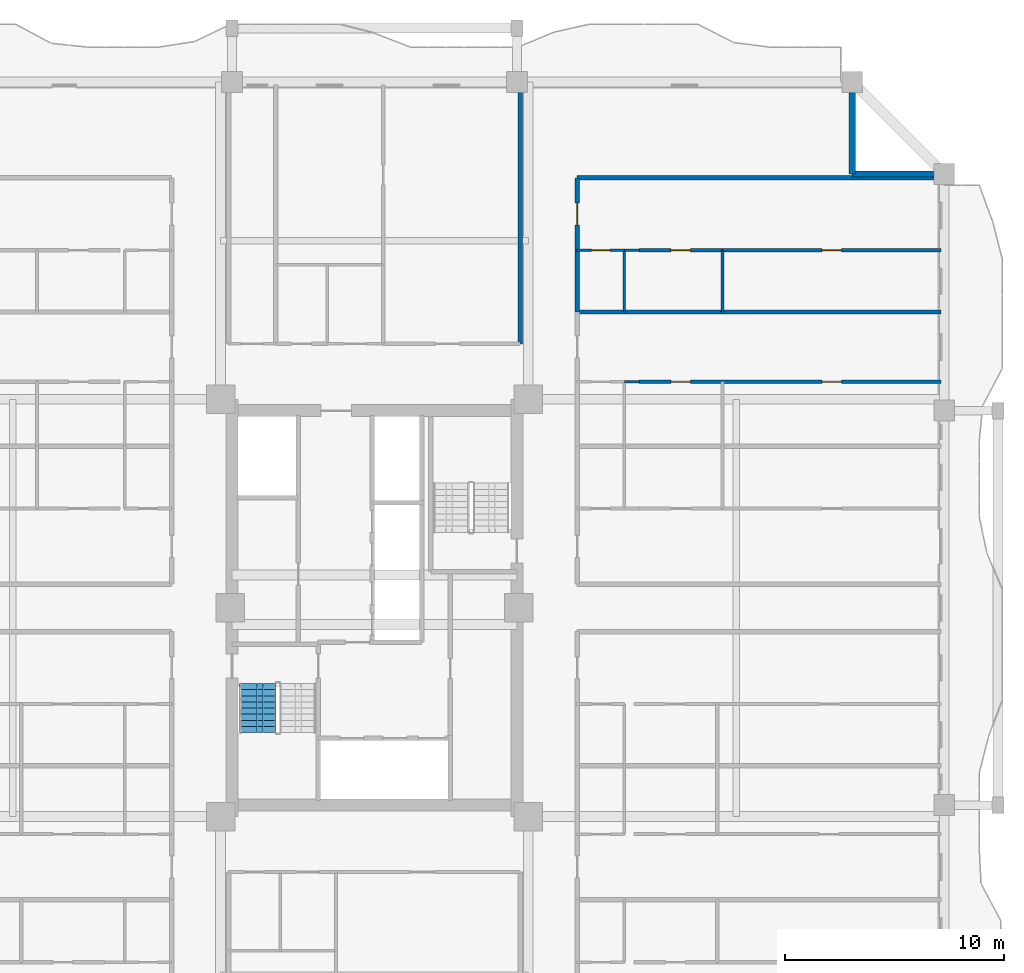
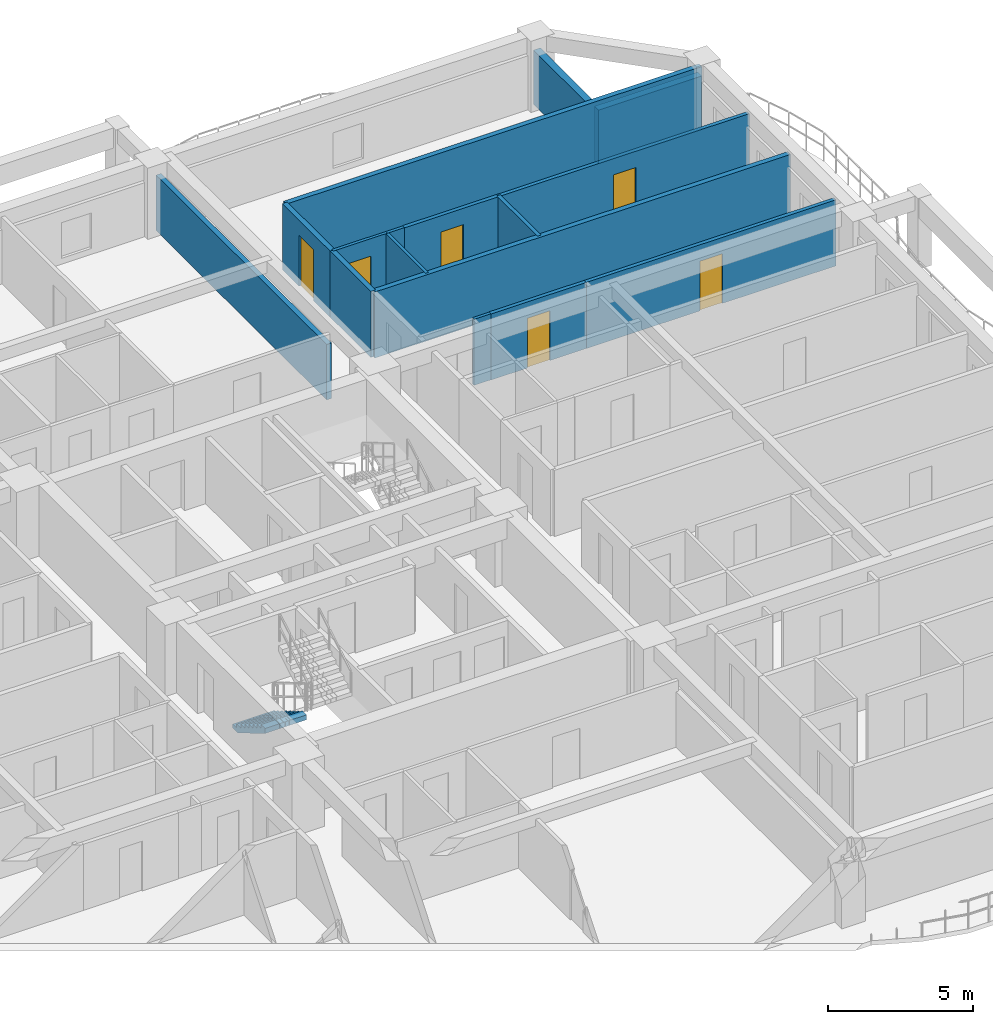
# One storey, part 8 of 13: 16 walls, 6 doors, 1 stair flight, 6 openings, 1 element without a shape of its own.
"""IFC4 building model written with IfcOpenShell, lengths in metres."""

from ifc_helpers import new_model, si_unit, direction, frame, frame_2d, origin, place, context, subcontext, project, spatial, polyline, rectangle, outline, extrude, source, transform, mapped, material, layer, layer_set, type_object, element, fill, aggregate, save


model = new_model("IFC4")

# Units and contexts
model_context = context("Model", 3, precision=1e-05, world=origin(), true_north=direction((0.0, 1.0)))
body_context = subcontext(model_context, "Body", "Model", "MODEL_VIEW")
ifc_project = project(units=[si_unit("LENGTHUNIT", "METRE"), si_unit("AREAUNIT", "SQUARE_METRE"), si_unit("VOLUMEUNIT", "CUBIC_METRE"), si_unit("PLANEANGLEUNIT", "RADIAN"), si_unit("MASSUNIT", "GRAM", prefix="KILO")], contexts=[model_context])

# Site, building, storey
site_placement = place(None, origin())
site = spatial("IfcSite", under=ifc_project, at=site_placement, CompositionType="ELEMENT")
building_placement = place(site_placement, origin())
building = spatial("IfcBuilding", under=site, at=building_placement, Name="Saelheon Loggia Tower", CompositionType="ELEMENT")
storey_placement = place(building_placement, frame((0.0, 0.0, 92.85009765625)))
storey = spatial("IfcBuildingStorey", under=building, at=storey_placement, Name="L29", CompositionType="ELEMENT", Elevation=92.85009765625)

# Walls
ifc_material_1 = material(Name="Architectural Precast Concrete C40/50", Category="concrete")
ifc_layer_1 = layer(ifc_material_1, 0.280029296875)
ifc_layer_set_1 = layer_set([ifc_layer_1], Name="Architectural Precast Concrete C40/50")
wall_type_1 = type_object("IfcWallType", Name="Wall_Ext_Loggia_280", PredefinedType="SOLIDWALL", material=ifc_layer_set_1)
for number, where, z_axis, x_axis, name in (
    (1, (59.800048828125, 46.800048828125, 0.0), (0.0, 0.0, 1.0), (0.0, 1.0, 0.0), "L29 Corner Notch Precast Wall NE1"),
    (2, (59.800048828125, 46.800048828125, 0.0), (0.0, 0.0, 1.0), (1.0, 0.0, 0.0), "L29 Corner Notch Precast Wall NE2"),
):
    element("IfcWall", number, at=place(storey_placement, frame(where, z_axis=z_axis, x_axis=x_axis)), inside=storey, type_object=wall_type_1, Name=name, PredefinedType="SOLIDWALL", context=body_context, shape_type="SweptSolid", body=[
        extrude(rectangle(XDim=4.119873046875, YDim=0.280029296875, at=frame_2d((2.06005859375, 0.0))), origin(), (0.0, 0.0, 1.0), 2.27978515625),
    ])

# Wall, opening, door
ifc_material_2 = material(Name="Lightweight Autoclaved Aerated Concrete Block and Acoustic Gypsum", Category="concrete")
ifc_layer_2 = layer(ifc_material_2, 0.14990234375)
ifc_layer_set_2 = layer_set([ifc_layer_2], Name="Lightweight Autoclaved Aerated Concrete Block and Acoustic Gypsum")
wall_type_2 = type_object("IfcWallType", Name="Wall_Part_150", PredefinedType="PARTITIONING", material=ifc_layer_set_2)
wall_1_placement = place(storey_placement, frame((50.080078125, 37.320068359375, 0.0), z_axis=(0.0, 0.0, 1.0), x_axis=(1.0, 0.0, 0.0)))
wall_1 = element("IfcWall", 3, at=wall_1_placement, inside=storey, type_object=wall_type_2, Name="L29 EN Partition U18", PredefinedType="PARTITIONING", context=body_context, shape_type="SweptSolid", body=[
    extrude(rectangle(XDim=3.7998046875, YDim=0.14990234375, at=frame_2d((1.89990234375, 0.0))), origin(), (0.0, 0.0, 1.0), 2.789794921875),
])
opening_1_placement = place(wall_1_placement, frame((1.449951171875, 0.0, 0.0)))
opening_1 = element("IfcOpeningElement", 4, at=opening_1_placement, cuts=wall_1, Name="Opening D-IN2", PredefinedType="OPENING", context=body_context, shape_type="SweptSolid", body=[
    extrude(rectangle(XDim=0.89990234375, YDim=2.10009765625, at=frame_2d((0.449951171875, 1.050048828125))), frame((0.0, 0.0869140625, 0.0), z_axis=(0.0, -1.0, 0.0), x_axis=(1.0, 0.0, 0.0)), (0.0, 0.0, 1.0), 0.173828125),
])
ifc_material_3 = material(Name="Engineered Oak Flush Door", Category="timber")
door_type_1 = type_object("IfcDoorType", Name="Door_Int_900", OperationType="NOTDEFINED", PredefinedType="DOOR", material=ifc_material_3)
shared_shape_1 = source(origin(), body_context, "Body", "SweptSolid", [
    extrude(rectangle(XDim=0.89990234375, YDim=2.10009765625, at=frame_2d((0.449951171875, 1.050048828125))), frame((0.0, 0.02490234375, 0.0), z_axis=(0.0, -1.0, 0.0), x_axis=(1.0, 0.0, 0.0)), (0.0, 0.0, 1.0), 0.050048828125),
])
door_1_placement = place(opening_1_placement, origin())
door_1 = element("IfcDoor", 5, at=door_1_placement, inside=storey, type_object=door_type_1, Name="Unit U11 Kitchen Door", OperationType="SINGLE_SWING_RIGHT", OverallHeight=2.10009765625, OverallWidth=0.89990234375, PredefinedType="DOOR", context=body_context, shape_type="MappedRepresentation", body=[
    mapped(shared_shape_1, transform((0.0, 0.0, 0.0), scale=1.0)),
])
fill(opening_1, door_1)

wall_2_placement = place(storey_placement, frame((53.8798828125, 37.320068359375, 0.0), z_axis=(0.0, 0.0, 1.0), x_axis=(1.0, 0.0, 0.0)))
wall_2 = element("IfcWall", 6, at=wall_2_placement, inside=storey, type_object=wall_type_2, Name="L29 EN Partition U19", PredefinedType="PARTITIONING", context=body_context, shape_type="SweptSolid", body=[
    extrude(rectangle(XDim=9.97021484375, YDim=0.14990234375, at=frame_2d((4.985107421875, 0.0))), origin(), (0.0, 0.0, 1.0), 2.789794921875),
])
opening_2_placement = place(wall_2_placement, frame((4.534912109375, 0.0, 0.0)))
opening_2 = element("IfcOpeningElement", 7, at=opening_2_placement, cuts=wall_2, Name="Opening D-IN2", PredefinedType="OPENING", context=body_context, shape_type="SweptSolid", body=[
    extrude(rectangle(XDim=0.89990234375, YDim=2.10009765625, at=frame_2d((0.449951171875, 1.050048828125))), frame((0.0, 0.0869140625, 0.0), z_axis=(0.0, -1.0, 0.0), x_axis=(1.0, 0.0, 0.0)), (0.0, 0.0, 1.0), 0.173828125),
])
door_2_placement = place(opening_2_placement, origin())
door_2 = element("IfcDoor", 8, at=door_2_placement, inside=storey, type_object=door_type_1, Name="Unit U11 Bedroom 1 Door", OperationType="SINGLE_SWING_LEFT", OverallHeight=2.10009765625, OverallWidth=0.89990234375, PredefinedType="DOOR", context=body_context, shape_type="MappedRepresentation", body=[
    mapped(shared_shape_1, transform((0.0, 0.0, 0.0), scale=1.0)),
])
fill(opening_2, door_2)

# Wall
wall_3_placement = place(storey_placement, frame((53.8798828125, 40.501708984375, 0.0), z_axis=(0.0, 0.0, 1.0), x_axis=(0.0, 1.0, 0.0)))
element("IfcWall", 9, at=wall_3_placement, inside=storey, type_object=wall_type_2, Name="L29 EN Partition V26", PredefinedType="PARTITIONING", context=body_context, shape_type="SweptSolid", body=[
    extrude(rectangle(XDim=2.814453125, YDim=0.14990234375, at=frame_2d((1.4072265625, 0.0))), origin(), (0.0, 0.0, 1.0), 2.789794921875),
])

# Wall, opening, door
wall_4_placement = place(storey_placement, frame((50.080078125, 43.316162109375, 0.0), z_axis=(0.0, 0.0, 1.0), x_axis=(1.0, 0.0, 0.0)))
wall_4 = element("IfcWall", 10, at=wall_4_placement, inside=storey, type_object=wall_type_2, Name="L29 EN Partition U27", PredefinedType="PARTITIONING", context=body_context, shape_type="SweptSolid", body=[
    extrude(rectangle(XDim=3.7998046875, YDim=0.14990234375, at=frame_2d((1.89990234375, 0.0))), origin(), (0.0, 0.0, 1.0), 2.789794921875),
])
opening_3_placement = place(wall_4_placement, frame((1.449951171875, 0.0, 0.0)))
opening_3 = element("IfcOpeningElement", 11, at=opening_3_placement, cuts=wall_4, Name="Opening D-IN2", PredefinedType="OPENING", context=body_context, shape_type="SweptSolid", body=[
    extrude(rectangle(XDim=0.89990234375, YDim=2.10009765625, at=frame_2d((0.449951171875, 1.050048828125))), frame((0.0, 0.0869140625, 0.0), z_axis=(0.0, -1.0, 0.0), x_axis=(1.0, 0.0, 0.0)), (0.0, 0.0, 1.0), 0.173828125),
])
door_3_placement = place(opening_3_placement, origin())
door_3 = element("IfcDoor", 12, at=door_3_placement, inside=storey, type_object=door_type_1, Name="Unit U12 Kitchen Door", OperationType="SINGLE_SWING_RIGHT", OverallHeight=2.10009765625, OverallWidth=0.89990234375, PredefinedType="DOOR", context=body_context, shape_type="MappedRepresentation", body=[
    mapped(shared_shape_1, transform((0.0, 0.0, 0.0), scale=1.0)),
])
fill(opening_3, door_3)

wall_5_placement = place(storey_placement, frame((53.8798828125, 43.316162109375, 0.0), z_axis=(0.0, 0.0, 1.0), x_axis=(1.0, 0.0, 0.0)))
wall_5 = element("IfcWall", 13, at=wall_5_placement, inside=storey, type_object=wall_type_2, Name="L29 EN Partition U28", PredefinedType="PARTITIONING", context=body_context, shape_type="SweptSolid", body=[
    extrude(rectangle(XDim=9.97021484375, YDim=0.14990234375, at=frame_2d((4.985107421875, 0.0))), origin(), (0.0, 0.0, 1.0), 2.789794921875),
])
opening_4_placement = place(wall_5_placement, frame((4.534912109375, 0.0, 0.0)))
opening_4 = element("IfcOpeningElement", 14, at=opening_4_placement, cuts=wall_5, Name="Opening D-IN2", PredefinedType="OPENING", context=body_context, shape_type="SweptSolid", body=[
    extrude(rectangle(XDim=0.89990234375, YDim=2.10009765625, at=frame_2d((0.449951171875, 1.050048828125))), frame((0.0, 0.0869140625, 0.0), z_axis=(0.0, -1.0, 0.0), x_axis=(1.0, 0.0, 0.0)), (0.0, 0.0, 1.0), 0.173828125),
])
door_4_placement = place(opening_4_placement, origin())
door_4 = element("IfcDoor", 15, at=door_4_placement, inside=storey, type_object=door_type_1, Name="Unit U12 Bedroom 1 Door", OperationType="SINGLE_SWING_LEFT", OverallHeight=2.10009765625, OverallWidth=0.89990234375, PredefinedType="DOOR", context=body_context, shape_type="MappedRepresentation", body=[
    mapped(shared_shape_1, transform((0.0, 0.0, 0.0), scale=1.0)),
])
fill(opening_4, door_4)

# Walls
ifc_material_4 = material(Name="Double Acoustic Stud and Fireboard Partition", Category="gypsum")
ifc_layer_3 = layer(ifc_material_4, 0.199951171875)
ifc_layer_set_3 = layer_set([ifc_layer_3], Name="Double Acoustic Stud and Fireboard Partition")
wall_type_3 = type_object("IfcWallType", Name="Wall_Party_200", PredefinedType="PARTITIONING", material=ifc_layer_set_3)
wall_6_placement = place(storey_placement, frame((44.64990234375, 39.050048828125, 0.0), z_axis=(0.0, 0.0, 1.0), x_axis=(0.0, 1.0, 0.0)))
element("IfcWall", 16, at=wall_6_placement, inside=storey, type_object=wall_type_3, Name="L29 N Partition U02", PredefinedType="PARTITIONING", context=body_context, shape_type="SweptSolid", body=[
    extrude(rectangle(XDim=11.800048828125, YDim=0.199951171875, at=frame_2d((5.89990234375, 0.0))), origin(), (0.0, 0.0, 1.0), 2.33984375),
])
for number, where, z_axis, x_axis, name in (
    (17, (47.25, 46.6201171875, 0.0), (0.0, 0.0, 1.0), (1.0, 0.0, 0.0), "L29 EN Partition U02"),
    (18, (47.25, 40.501708984375, 0.0), (0.0, 0.0, 1.0), (1.0, 0.0, 0.0), "L29 EN Partition U20"),
):
    element("IfcWall", number, at=place(storey_placement, frame(where, z_axis=z_axis, x_axis=x_axis)), inside=storey, type_object=wall_type_3, Name=name, PredefinedType="PARTITIONING", context=body_context, shape_type="SweptSolid", body=[
        extrude(rectangle(XDim=16.60009765625, YDim=0.199951171875, at=frame_2d((8.300048828125, 0.0))), origin(), (0.0, 0.0, 1.0), 2.789794921875),
    ])
wall_7_placement = place(storey_placement, frame((47.25, 40.501708984375, 0.0), z_axis=(0.0, 0.0, 1.0), x_axis=(0.0, 1.0, 0.0)))
element("IfcWall", 19, at=wall_7_placement, inside=storey, type_object=wall_type_3, Name="L29 EN Partition V21", PredefinedType="PARTITIONING", context=body_context, shape_type="SweptSolid", body=[
    extrude(rectangle(XDim=2.814453125, YDim=0.199951171875, at=frame_2d((1.4072265625, 0.0))), origin(), (0.0, 0.0, 1.0), 2.789794921875),
])

# Wall, opening, door
wall_8_placement = place(storey_placement, frame((47.25, 43.316162109375, 0.0), z_axis=(0.0, 0.0, 1.0), x_axis=(0.0, 1.0, 0.0)))
wall_8 = element("IfcWall", 20, at=wall_8_placement, inside=storey, type_object=wall_type_3, Name="L29 EN Partition V22", PredefinedType="PARTITIONING", context=body_context, shape_type="SweptSolid", body=[
    extrude(rectangle(XDim=3.303955078125, YDim=0.199951171875, at=frame_2d((1.65185546875, 0.0))), origin(), (0.0, 0.0, 1.0), 2.789794921875),
])
opening_5_placement = place(wall_8_placement, frame((1.15185546875, 0.0, 0.0)))
opening_5 = element("IfcOpeningElement", 21, at=opening_5_placement, cuts=wall_8, Name="Opening D-FD1", PredefinedType="OPENING", context=body_context, shape_type="SweptSolid", body=[
    extrude(rectangle(XDim=1.0, YDim=2.14990234375, at=frame_2d((0.5, 1.074951171875))), frame((0.0, 0.112060546875, 0.0), z_axis=(0.0, -1.0, 0.0), x_axis=(1.0, 0.0, 0.0)), (0.0, 0.0, 1.0), 0.223876953125),
])
ifc_material_5 = material(Name="Fire-Rated Engineered Timber Entrance Door", Category="wood")
door_type_2 = type_object("IfcDoorType", Name="Door_Flat_FD30S", OperationType="NOTDEFINED", PredefinedType="DOOR", material=ifc_material_5)
shared_shape_2 = source(origin(), body_context, "Body", "SweptSolid", [
    extrude(rectangle(XDim=1.0, YDim=2.14990234375, at=frame_2d((0.5, 1.074951171875))), frame((0.0, 0.02490234375, 0.0), z_axis=(0.0, -1.0, 0.0), x_axis=(1.0, 0.0, 0.0)), (0.0, 0.0, 1.0), 0.050048828125),
])
door_5_placement = place(opening_5_placement, origin())
door_5 = element("IfcDoor", 22, at=door_5_placement, inside=storey, type_object=door_type_2, Name="Unit U12 Entrance Door", OperationType="SINGLE_SWING_RIGHT", OverallHeight=2.14990234375, OverallWidth=1.0, PredefinedType="DOOR", context=body_context, shape_type="MappedRepresentation", body=[
    mapped(shared_shape_2, transform((0.0, 0.0, 0.0), scale=1.0)),
])
fill(opening_5, door_5)

# Wall
ifc_material_6 = material(Name="Moisture-Resistant Cement Board Partition", Category="gypsum")
ifc_layer_4 = layer(ifc_material_6, 0.1201171875)
ifc_layer_set_4 = layer_set([ifc_layer_4], Name="Moisture-Resistant Cement Board Partition")
wall_type_4 = type_object("IfcWallType", Name="Wall_WetPart_120", PredefinedType="PARTITIONING", material=ifc_layer_set_4)
wall_9_placement = place(storey_placement, frame((49.39990234375, 37.320068359375, 0.0), z_axis=(0.0, 0.0, 1.0), x_axis=(1.0, 0.0, 0.0)))
element("IfcWall", 23, at=wall_9_placement, inside=storey, type_object=wall_type_4, Name="L29 EN Partition U15", PredefinedType="PARTITIONING", context=body_context, shape_type="SweptSolid", body=[
    extrude(rectangle(XDim=0.68017578125, YDim=0.1201171875, at=frame_2d((0.340087890625, 0.0))), origin(), (0.0, 0.0, 1.0), 2.789794921875),
])

# Wall, opening, door
wall_10_placement = place(storey_placement, frame((47.25, 43.316162109375, 0.0), z_axis=(0.0, 0.0, 1.0), x_axis=(1.0, 0.0, 0.0)))
wall_10 = element("IfcWall", 24, at=wall_10_placement, inside=storey, type_object=wall_type_4, Name="L29 EN Partition U23", PredefinedType="PARTITIONING", context=body_context, shape_type="SweptSolid", body=[
    extrude(rectangle(XDim=2.14990234375, YDim=0.1201171875, at=frame_2d((1.074951171875, 0.0))), origin(), (0.0, 0.0, 1.0), 2.789794921875),
])
opening_6_placement = place(wall_10_placement, frame((0.64990234375, 0.0, 0.0)))
opening_6 = element("IfcOpeningElement", 25, at=opening_6_placement, cuts=wall_10, Name="Opening D-BT1", PredefinedType="OPENING", context=body_context, shape_type="SweptSolid", body=[
    extrude(rectangle(XDim=0.85009765625, YDim=2.050048828125, at=frame_2d((0.425048828125, 1.02490234375))), frame((0.0, 0.072021484375, 0.0), z_axis=(0.0, -1.0, 0.0), x_axis=(1.0, 0.0, 0.0)), (0.0, 0.0, 1.0), 0.14404296875),
])
ifc_material_7 = material(Name="Moisture-Resistant Laminate Timber Door", Category="wood")
door_type_3 = type_object("IfcDoorType", Name="Door_Bath_850", OperationType="NOTDEFINED", PredefinedType="DOOR", material=ifc_material_7)
shared_shape_3 = source(origin(), body_context, "Body", "SweptSolid", [
    extrude(rectangle(XDim=0.85009765625, YDim=2.050048828125, at=frame_2d((0.425048828125, 1.02490234375))), frame((0.0, 0.02490234375, 0.0), z_axis=(0.0, -1.0, 0.0), x_axis=(1.0, 0.0, 0.0)), (0.0, 0.0, 1.0), 0.050048828125),
])
door_6_placement = place(opening_6_placement, origin())
door_6 = element("IfcDoor", 26, at=door_6_placement, inside=storey, type_object=door_type_3, Name="Unit U12 Bathroom Door", OperationType="SINGLE_SWING_LEFT", OverallHeight=2.050048828125, OverallWidth=0.85009765625, PredefinedType="DOOR", context=body_context, shape_type="MappedRepresentation", body=[
    mapped(shared_shape_3, transform((0.0, 0.0, 0.0), scale=1.0)),
])
fill(opening_6, door_6)

# Walls
wall_11_placement = place(storey_placement, frame((49.39990234375, 43.316162109375, 0.0), z_axis=(0.0, 0.0, 1.0), x_axis=(1.0, 0.0, 0.0)))
element("IfcWall", 27, at=wall_11_placement, inside=storey, type_object=wall_type_4, Name="L29 EN Partition U24", PredefinedType="PARTITIONING", context=body_context, shape_type="SweptSolid", body=[
    extrude(rectangle(XDim=0.68017578125, YDim=0.1201171875, at=frame_2d((0.340087890625, 0.0))), origin(), (0.0, 0.0, 1.0), 2.789794921875),
])
wall_12_placement = place(storey_placement, frame((49.39990234375, 40.501708984375, 0.0), z_axis=(0.0, 0.0, 1.0), x_axis=(0.0, 1.0, 0.0)))
element("IfcWall", 28, at=wall_12_placement, inside=storey, type_object=wall_type_4, Name="L29 EN Partition V25", PredefinedType="PARTITIONING", context=body_context, shape_type="SweptSolid", body=[
    extrude(rectangle(XDim=2.814453125, YDim=0.1201171875, at=frame_2d((1.4072265625, 0.0))), origin(), (0.0, 0.0, 1.0), 2.789794921875),
])

# Stair, stair flight
ifc_material_8 = material(Name="Concrete C40/50", Category="concrete")
stair_type = type_object("IfcStairType", Name="Stair_Escape_Core", PredefinedType="HALF_TURN_STAIR", material=ifc_material_8)
stair_placement = place(storey_placement, origin())
stair = element("IfcStair", 29, at=stair_placement, inside=storey, type_object=stair_type, Name="L29 Special Escape Stair ST1", PredefinedType="HALF_TURN_STAIR")
stair_flight_type = type_object("IfcStairFlightType", Name="StairFlight_Tower_1660", PredefinedType="STRAIGHT", material=ifc_material_8)
stair_flight_placement = place(storey_placement, frame((32.679931640625, 23.550048828125, 0.0), z_axis=(0.0, 0.0, 1.0), x_axis=(0.0, -1.0, 0.0)))
stair_flight = element("IfcStairFlight", 30, at=stair_flight_placement, type_object=stair_flight_type, Name="ST1 flight 1", NumberOfRisers=9, NumberOfTreads=8, PredefinedType="STRAIGHT", RiserHeight=0.166666667, TreadLength=0.28, context=body_context, shape_type="SweptSolid", body=[
    extrude(outline(polyline([(0.0, 0.0), (0.0, 0.166748046875), (0.280029296875, 0.166748046875), (0.280029296875, 0.333251953125), (0.56005859375, 0.333251953125), (0.56005859375, 0.5), (0.840087890625, 0.5), (0.840087890625, 0.666748046875), (1.1201171875, 0.666748046875), (1.1201171875, 0.833251953125), (1.39990234375, 0.833251953125), (1.39990234375, 1.0), (1.679931640625, 1.0), (1.679931640625, 1.166748046875), (1.9599609375, 1.166748046875), (1.9599609375, 1.333251953125), (2.239990234375, 1.333251953125), (2.239990234375, 1.5), (2.239990234375, 1.1240234375), (0.351806640625, 0.0), (0.0, 0.0)])), frame((0.0, -0.2490234375, 0.0), z_axis=(0.0, -1.0, 0.0), x_axis=(1.0, 0.0, 0.0)), (0.0, 0.0, 1.0), 0.5810546875),
    extrude(outline(polyline([(0.0, 0.0), (0.0, 0.166748046875), (0.280029296875, 0.166748046875), (0.280029296875, 0.333251953125), (0.56005859375, 0.333251953125), (0.56005859375, 0.5), (0.840087890625, 0.5), (0.840087890625, 0.666748046875), (1.1201171875, 0.666748046875), (1.1201171875, 0.833251953125), (1.39990234375, 0.833251953125), (1.39990234375, 1.0), (1.679931640625, 1.0), (1.679931640625, 1.166748046875), (1.9599609375, 1.166748046875), (1.9599609375, 1.333251953125), (2.239990234375, 1.333251953125), (2.239990234375, 1.5), (2.239990234375, 1.1240234375), (0.351806640625, 0.0), (0.0, 0.0)])), frame((0.0, -0.194091796875, 0.0), z_axis=(0.0, -1.0, 0.0), x_axis=(1.0, 0.0, 0.0)), (0.0, 0.0, 1.0), 0.0498046875),
    extrude(outline(polyline([(0.0, 0.0), (0.0, 0.166748046875), (0.280029296875, 0.166748046875), (0.280029296875, 0.333251953125), (0.56005859375, 0.333251953125), (0.56005859375, 0.5), (0.840087890625, 0.5), (0.840087890625, 0.666748046875), (1.1201171875, 0.666748046875), (1.1201171875, 0.833251953125), (1.39990234375, 0.833251953125), (1.39990234375, 1.0), (1.679931640625, 1.0), (1.679931640625, 1.166748046875), (1.9599609375, 1.166748046875), (1.9599609375, 1.333251953125), (2.239990234375, 1.333251953125), (2.239990234375, 1.5), (2.239990234375, 1.1240234375), (0.351806640625, 0.0), (0.0, 0.0)])), frame((0.0, -0.139404296875, 0.0), z_axis=(0.0, -1.0, 0.0), x_axis=(1.0, 0.0, 0.0)), (0.0, 0.0, 1.0), 0.0498046875),
    extrude(outline(polyline([(0.0, 0.0), (0.0, 0.166748046875), (0.280029296875, 0.166748046875), (0.280029296875, 0.333251953125), (0.56005859375, 0.333251953125), (0.56005859375, 0.5), (0.840087890625, 0.5), (0.840087890625, 0.666748046875), (1.1201171875, 0.666748046875), (1.1201171875, 0.833251953125), (1.39990234375, 0.833251953125), (1.39990234375, 1.0), (1.679931640625, 1.0), (1.679931640625, 1.166748046875), (1.9599609375, 1.166748046875), (1.9599609375, 1.333251953125), (2.239990234375, 1.333251953125), (2.239990234375, 1.5), (2.239990234375, 1.1240234375), (0.351806640625, 0.0), (0.0, 0.0)])), frame((0.0, -0.084716796875, 0.0), z_axis=(0.0, -1.0, 0.0), x_axis=(1.0, 0.0, 0.0)), (0.0, 0.0, 1.0), 0.0498046875),
    extrude(outline(polyline([(0.0, 0.0), (0.0, 0.166748046875), (0.280029296875, 0.166748046875), (0.280029296875, 0.333251953125), (0.56005859375, 0.333251953125), (0.56005859375, 0.5), (0.840087890625, 0.5), (0.840087890625, 0.666748046875), (1.1201171875, 0.666748046875), (1.1201171875, 0.833251953125), (1.39990234375, 0.833251953125), (1.39990234375, 1.0), (1.679931640625, 1.0), (1.679931640625, 1.166748046875), (1.9599609375, 1.166748046875), (1.9599609375, 1.333251953125), (2.239990234375, 1.333251953125), (2.239990234375, 1.5), (2.239990234375, 1.1240234375), (0.351806640625, 0.0), (0.0, 0.0)])), frame((0.0, -0.02978515625, 0.0), z_axis=(0.0, -1.0, 0.0), x_axis=(1.0, 0.0, 0.0)), (0.0, 0.0, 1.0), 0.0498046875),
    extrude(outline(polyline([(0.0, 0.0), (0.0, 0.166748046875), (0.280029296875, 0.166748046875), (0.280029296875, 0.333251953125), (0.56005859375, 0.333251953125), (0.56005859375, 0.5), (0.840087890625, 0.5), (0.840087890625, 0.666748046875), (1.1201171875, 0.666748046875), (1.1201171875, 0.833251953125), (1.39990234375, 0.833251953125), (1.39990234375, 1.0), (1.679931640625, 1.0), (1.679931640625, 1.166748046875), (1.9599609375, 1.166748046875), (1.9599609375, 1.333251953125), (2.239990234375, 1.333251953125), (2.239990234375, 1.5), (2.239990234375, 1.1240234375), (0.351806640625, 0.0), (0.0, 0.0)])), frame((0.0, 0.02490234375, 0.0), z_axis=(0.0, -1.0, 0.0), x_axis=(1.0, 0.0, 0.0)), (0.0, 0.0, 1.0), 0.0498046875),
    extrude(outline(polyline([(0.0, 0.0), (0.0, 0.166748046875), (0.280029296875, 0.166748046875), (0.280029296875, 0.333251953125), (0.56005859375, 0.333251953125), (0.56005859375, 0.5), (0.840087890625, 0.5), (0.840087890625, 0.666748046875), (1.1201171875, 0.666748046875), (1.1201171875, 0.833251953125), (1.39990234375, 0.833251953125), (1.39990234375, 1.0), (1.679931640625, 1.0), (1.679931640625, 1.166748046875), (1.9599609375, 1.166748046875), (1.9599609375, 1.333251953125), (2.239990234375, 1.333251953125), (2.239990234375, 1.5), (2.239990234375, 1.1240234375), (0.351806640625, 0.0), (0.0, 0.0)])), frame((0.0, 0.07958984375, 0.0), z_axis=(0.0, -1.0, 0.0), x_axis=(1.0, 0.0, 0.0)), (0.0, 0.0, 1.0), 0.0498046875),
    extrude(outline(polyline([(0.0, 0.0), (0.0, 0.166748046875), (0.280029296875, 0.166748046875), (0.280029296875, 0.333251953125), (0.56005859375, 0.333251953125), (0.56005859375, 0.5), (0.840087890625, 0.5), (0.840087890625, 0.666748046875), (1.1201171875, 0.666748046875), (1.1201171875, 0.833251953125), (1.39990234375, 0.833251953125), (1.39990234375, 1.0), (1.679931640625, 1.0), (1.679931640625, 1.166748046875), (1.9599609375, 1.166748046875), (1.9599609375, 1.333251953125), (2.239990234375, 1.333251953125), (2.239990234375, 1.5), (2.239990234375, 1.1240234375), (0.351806640625, 0.0), (0.0, 0.0)])), frame((0.0, 0.134521484375, 0.0), z_axis=(0.0, -1.0, 0.0), x_axis=(1.0, 0.0, 0.0)), (0.0, 0.0, 1.0), 0.0498046875),
    extrude(outline(polyline([(0.0, 0.0), (0.0, 0.166748046875), (0.280029296875, 0.166748046875), (0.280029296875, 0.333251953125), (0.56005859375, 0.333251953125), (0.56005859375, 0.5), (0.840087890625, 0.5), (0.840087890625, 0.666748046875), (1.1201171875, 0.666748046875), (1.1201171875, 0.833251953125), (1.39990234375, 0.833251953125), (1.39990234375, 1.0), (1.679931640625, 1.0), (1.679931640625, 1.166748046875), (1.9599609375, 1.166748046875), (1.9599609375, 1.333251953125), (2.239990234375, 1.333251953125), (2.239990234375, 1.5), (2.239990234375, 1.1240234375), (0.351806640625, 0.0), (0.0, 0.0)])), frame((0.0, 0.189208984375, 0.0), z_axis=(0.0, -1.0, 0.0), x_axis=(1.0, 0.0, 0.0)), (0.0, 0.0, 1.0), 0.0498046875),
    extrude(outline(polyline([(0.0, 0.0), (0.0, 0.166748046875), (0.280029296875, 0.166748046875), (0.280029296875, 0.333251953125), (0.56005859375, 0.333251953125), (0.56005859375, 0.5), (0.840087890625, 0.5), (0.840087890625, 0.666748046875), (1.1201171875, 0.666748046875), (1.1201171875, 0.833251953125), (1.39990234375, 0.833251953125), (1.39990234375, 1.0), (1.679931640625, 1.0), (1.679931640625, 1.166748046875), (1.9599609375, 1.166748046875), (1.9599609375, 1.333251953125), (2.239990234375, 1.333251953125), (2.239990234375, 1.5), (2.239990234375, 1.1240234375), (0.351806640625, 0.0), (0.0, 0.0)])), frame((0.0, 0.243896484375, 0.0), z_axis=(0.0, -1.0, 0.0), x_axis=(1.0, 0.0, 0.0)), (0.0, 0.0, 1.0), 0.0498046875),
    extrude(outline(polyline([(0.0, 0.0), (0.0, 0.166748046875), (0.280029296875, 0.166748046875), (0.280029296875, 0.333251953125), (0.56005859375, 0.333251953125), (0.56005859375, 0.5), (0.840087890625, 0.5), (0.840087890625, 0.666748046875), (1.1201171875, 0.666748046875), (1.1201171875, 0.833251953125), (1.39990234375, 0.833251953125), (1.39990234375, 1.0), (1.679931640625, 1.0), (1.679931640625, 1.166748046875), (1.9599609375, 1.166748046875), (1.9599609375, 1.333251953125), (2.239990234375, 1.333251953125), (2.239990234375, 1.5), (2.239990234375, 1.1240234375), (0.351806640625, 0.0), (0.0, 0.0)])), frame((0.0, 0.830078125, 0.0), z_axis=(0.0, -1.0, 0.0), x_axis=(1.0, 0.0, 0.0)), (0.0, 0.0, 1.0), 0.5810546875),
])
aggregate(stair, [stair_flight])

save(model, "model.ifc")
